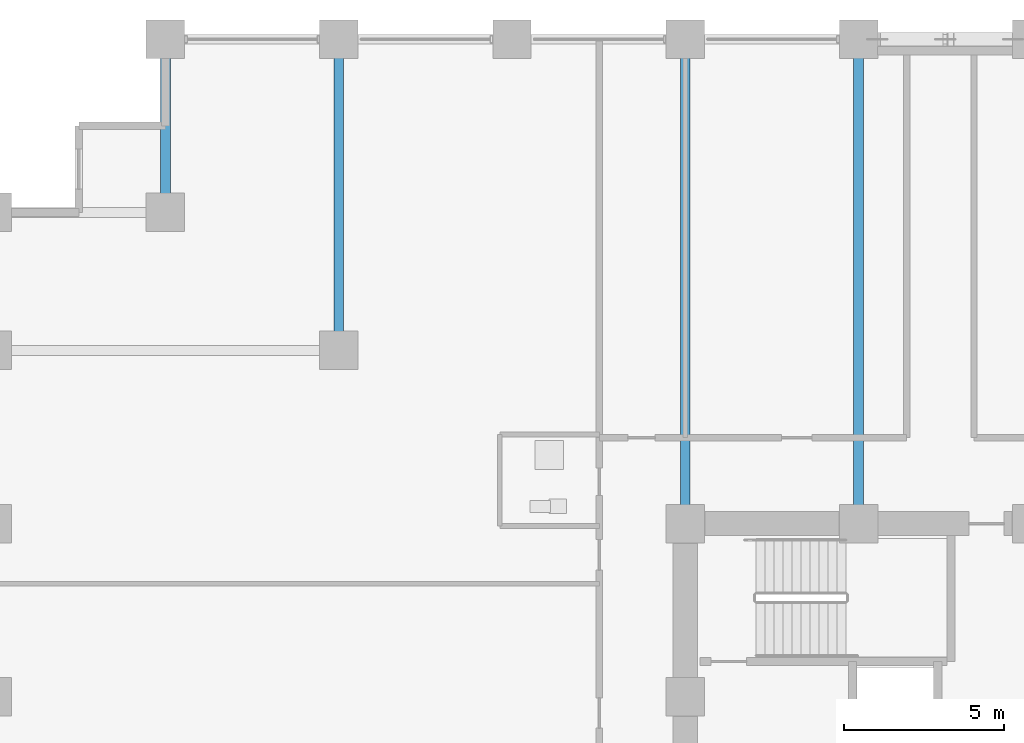
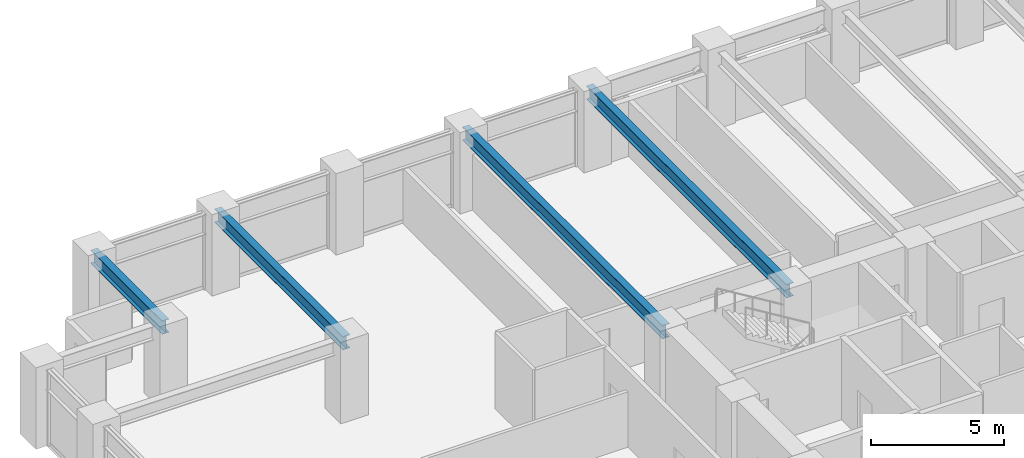
# One storey, part 11 of 26: 4 beams.
"""IFC4 building model written with IfcOpenShell, lengths in metres."""

from ifc_helpers import new_model, si_unit, direction, frame, origin, origin_2d, place, context, subcontext, project, spatial, i_section, extrude, material, material_profile, profile_set, type_object, element, save


model = new_model("IFC4")

# Units and contexts
model_context = context("Model", 3, precision=1e-05, world=origin(), true_north=direction((0.0, 1.0)))
body_context = subcontext(model_context, "Body", "Model", "MODEL_VIEW")
ifc_project = project(units=[si_unit("LENGTHUNIT", "METRE"), si_unit("AREAUNIT", "SQUARE_METRE"), si_unit("VOLUMEUNIT", "CUBIC_METRE"), si_unit("PLANEANGLEUNIT", "RADIAN"), si_unit("MASSUNIT", "GRAM", prefix="KILO")], contexts=[model_context])

# Site, building, storey
site_placement = place(None, origin())
site = spatial("IfcSite", under=ifc_project, at=site_placement, CompositionType="ELEMENT")
building_placement = place(site_placement, origin())
building = spatial("IfcBuilding", under=site, at=building_placement, Name="Surkhivell Harbour Commons", CompositionType="ELEMENT")
storey_placement = place(building_placement, frame((0.0, 0.0, 75.0)))
storey = spatial("IfcBuildingStorey", under=building, at=storey_placement, Name="L19", CompositionType="ELEMENT", Elevation=75.0)

# Beams
ifc_material = material(Name="Steel S355", Category="steel")
ifc_material_profile = material_profile(ifc_material, i_section(OverallWidth=0.306884765625, OverallDepth=0.6201171875, WebThickness=0.01416015625, FlangeThickness=0.023681640625, at=origin_2d()), Name="UB610x305x179")
ifc_profile_set = profile_set([ifc_material_profile], Name="Steel S355")
beam_type = type_object("IfcBeamType", Name="BM-GRD-610A", PredefinedType="BEAM", material=ifc_profile_set)
beam_1_placement = place(storey_placement, frame((-27.0, 20.5, 3.18994140625), z_axis=(0.0, 1.0, 0.0), x_axis=(-1.0, 0.0, 0.0)))
element("IfcBeam", 1, at=beam_1_placement, inside=storey, type_object=beam_type, Name="L19 Floor Girder (-27.0,20.5)", PredefinedType="BEAM", context=body_context, shape_type="SweptSolid", body=[
    extrude(i_section(OverallWidth=0.306884765625, OverallDepth=0.6201171875, WebThickness=0.01416015625, FlangeThickness=0.023681640625, at=origin_2d()), origin(), (0.0, 0.0, 1.0), 5.39990234375),
])
beam_2_placement = place(storey_placement, frame((-21.60009765625, 16.199951171875, 3.18994140625), z_axis=(0.0, 1.0, 0.0), x_axis=(-1.0, 0.0, 0.0)))
element("IfcBeam", 2, at=beam_2_placement, inside=storey, type_object=beam_type, Name="L19 Floor Girder (-21.6,16.2)", PredefinedType="BEAM", context=body_context, shape_type="SweptSolid", body=[
    extrude(i_section(OverallWidth=0.306884765625, OverallDepth=0.6201171875, WebThickness=0.01416015625, FlangeThickness=0.023681640625, at=origin_2d()), origin(), (0.0, 0.0, 1.0), 9.699951171875),
])
for number, where, z_axis, x_axis, name in (
    (3, (-10.800048828125, 10.800048828125, 3.18994140625), (0.0, 1.0, 0.0), (-1.0, 0.0, 0.0), "L19 Floor Girder (-10.8,10.8)"),
    (4, (-5.39990234375, 10.800048828125, 3.18994140625), (0.0, 1.0, 0.0), (-1.0, 0.0, 0.0), "L19 Floor Girder (-5.4,10.8)"),
):
    element("IfcBeam", number, at=place(storey_placement, frame(where, z_axis=z_axis, x_axis=x_axis)), inside=storey, type_object=beam_type, Name=name, PredefinedType="BEAM", context=body_context, shape_type="SweptSolid", body=[
        extrude(i_section(OverallWidth=0.306884765625, OverallDepth=0.6201171875, WebThickness=0.01416015625, FlangeThickness=0.023681640625, at=origin_2d()), origin(), (0.0, 0.0, 1.0), 15.099853515625),
    ])

save(model, "model.ifc")
